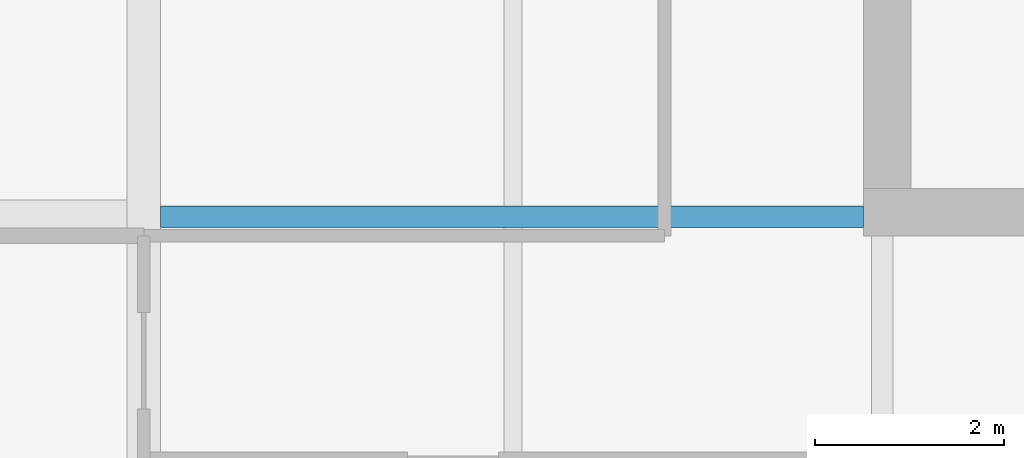
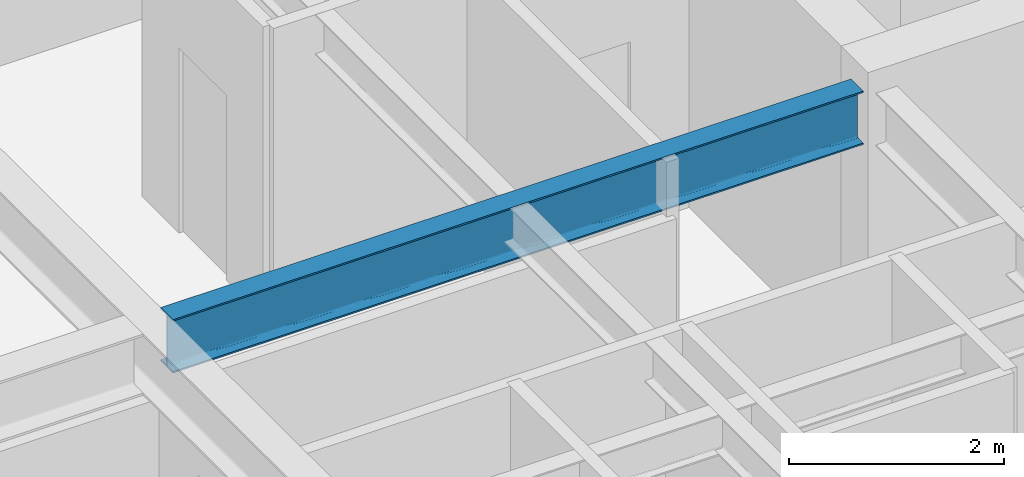
# One storey, part 8 of 33: 1 beam.
"""IFC4 building model written with IfcOpenShell, lengths in metres."""

from ifc_helpers import new_model, si_unit, direction, frame, origin, origin_2d, place, context, subcontext, project, spatial, i_section, extrude, material, material_profile, profile_set, type_object, element, save


model = new_model("IFC4")

# Units and contexts
model_context = context("Model", 3, precision=1e-05, world=origin(), true_north=direction((0.0, 1.0)))
body_context = subcontext(model_context, "Body", "Model", "MODEL_VIEW")
ifc_project = project(units=[si_unit("LENGTHUNIT", "METRE"), si_unit("AREAUNIT", "SQUARE_METRE"), si_unit("VOLUMEUNIT", "CUBIC_METRE"), si_unit("PLANEANGLEUNIT", "RADIAN"), si_unit("MASSUNIT", "GRAM", prefix="KILO")], contexts=[model_context])

# Site, building, storey
site_placement = place(None, origin())
site = spatial("IfcSite", under=ifc_project, at=site_placement, CompositionType="ELEMENT")
building_placement = place(site_placement, origin())
building = spatial("IfcBuilding", under=site, at=building_placement, Name="Drelvath Grand Hotel", CompositionType="ELEMENT")
storey_placement = place(building_placement, frame((0.0, 0.0, 153.949951171875)))
storey = spatial("IfcBuildingStorey", under=building, at=storey_placement, Name="L39", CompositionType="ELEMENT", Elevation=153.949951171875)

# Beam
ifc_material = material(Name="Steel ASTM A992 Gr 50", Category="steel")
ifc_material_profile = material_profile(ifc_material, i_section(OverallWidth=0.228271484375, OverallDepth=0.607666015625, WebThickness=0.01123046875, FlangeThickness=0.017333984375, FilletRadius=0.02001953125, at=origin_2d()), Name="W24X76")
ifc_profile_set = profile_set([ifc_material_profile], Name="Steel ASTM A992 Gr 50")
beam_type = type_object("IfcBeamType", Name="Primary Floor Girder W24X76", PredefinedType="BEAM", material=ifc_profile_set)
beam_placement = place(storey_placement, frame((-16.022705078125, 18.60009765625, 2.986328125), z_axis=(1.0, 0.0, 0.0), x_axis=(0.0, 1.0, 0.0)))
element("IfcBeam", 1, at=beam_placement, inside=storey, type_object=beam_type, Name="L39 West Core Tie D", PredefinedType="BEAM", context=body_context, shape_type="SweptSolid", body=[
    extrude(i_section(OverallWidth=0.228271484375, OverallDepth=0.607666015625, WebThickness=0.01123046875, FlangeThickness=0.017333984375, FilletRadius=0.02001953125, at=origin_2d()), origin(), (0.0, 0.0, 1.0), 7.422607421875),
])

save(model, "model.ifc")
